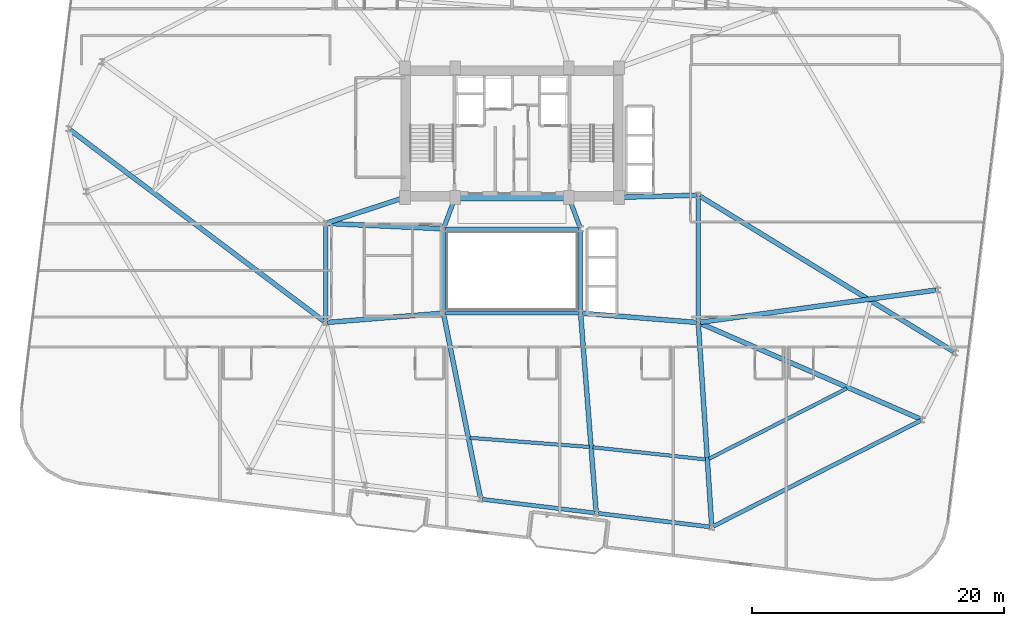
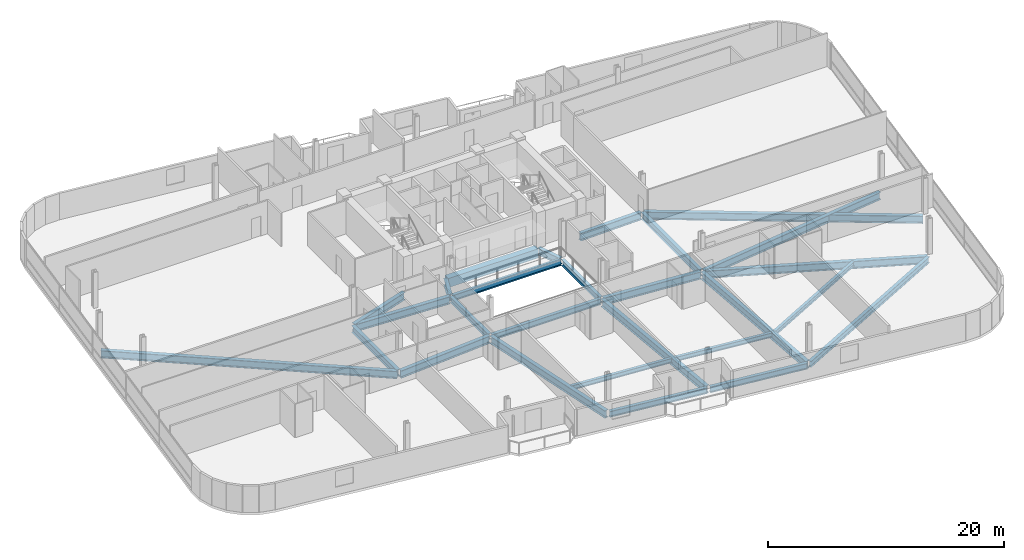
# One storey, part 7 of 26: 27 beams.
"""IFC4 building model written with IfcOpenShell, lengths in metres."""

import ifcopenshell
import ifcopenshell.guid

model = None  # the IFC model being written
_history = None  # IfcOwnerHistory: only IFC2X3 demands one
_inside = {}  # id of a spatial element -> (the spatial element, [elements in it])
_under = {}  # id of a project, library or spatial element -> (it, [spatial elements below it])
_declared = {}  # id of a project -> (the project, [libraries it declares])
_typed = {}  # id of a type object -> (the type object, [elements of that type])
_made_of = {}  # id of a material, layer set ... -> (it, [elements and type objects made of it])


def new_model(schema):
    """Start an empty IFC model of exactly this schema.

    Asked for "IFC4X3", IfcOpenShell would pick the latest addendum, in which some entities
    have other attributes; the version numbers below select the first issue.
    IFC2X3 requires an IfcOwnerHistory on every rooted entity: one is made here for all.
    """
    global model, _history
    if schema == "IFC4X3":
        model = ifcopenshell.file(schema_version=(4, 3, 0, 0))
    else:
        model = ifcopenshell.file(schema=schema)
    _inside.clear()
    _under.clear()
    _declared.clear()
    _typed.clear()
    _made_of.clear()
    _history = None
    if model.schema == "IFC2X3":
        org = make("IfcOrganization", Name="unknown")
        user = make(
            "IfcPersonAndOrganization",
            ThePerson=make("IfcPerson", FamilyName="unknown"),
            TheOrganization=org,
        )
        app = make(
            "IfcApplication",
            ApplicationDeveloper=org,
            Version="unknown",
            ApplicationFullName="unknown",
            ApplicationIdentifier="unknown",
        )
        _history = make(
            "IfcOwnerHistory",
            OwningUser=user,
            OwningApplication=app,
            ChangeAction="ADDED",
            CreationDate=0,
        )
    return model


def make(cls, **values):
    """One entity of the class cls with the attributes given. An attribute that is None is left unset."""
    return model.create_entity(
        cls, **{name: value for name, value in values.items() if value is not None}
    )


def rooted(cls, **values):
    """An entity with a GlobalId (a new one), such as an element, a storey or a relation."""
    return make(cls, GlobalId=ifcopenshell.guid.new(), OwnerHistory=_history, **values)


def si_unit(unit_type, name, prefix=None):
    """IfcSIUnit, for example si_unit("LENGTHUNIT", "METRE", prefix="MILLI")."""
    return make("IfcSIUnit", UnitType=unit_type, Prefix=prefix, Name=name)


def assignment(units):
    """IfcUnitAssignment: the units of a project."""
    return None if units is None else make("IfcUnitAssignment", Units=units)


def point(xyz):
    """IfcCartesianPoint."""
    return None if xyz is None else make("IfcCartesianPoint", Coordinates=xyz)


def direction(xyz):
    """IfcDirection."""
    return None if xyz is None else make("IfcDirection", DirectionRatios=xyz)


def frame(location, z_axis=None, x_axis=None):
    """IfcAxis2Placement3D, a coordinate frame: its origin and axes. An axis left out is left unset."""
    return make(
        "IfcAxis2Placement3D",
        Location=point(location),
        Axis=direction(z_axis),
        RefDirection=direction(x_axis),
    )


def frame_2d(location, x_axis=None):
    """IfcAxis2Placement2D, a coordinate frame in the plane: its origin and x axis."""
    return make(
        "IfcAxis2Placement2D", Location=point(location), RefDirection=direction(x_axis)
    )


def origin():
    """The frame at (0, 0, 0) with its axes left unset."""
    return frame((0.0, 0.0, 0.0))


def origin_2d():
    """The frame at (0, 0) in the plane with its x axis left unset."""
    return frame_2d((0.0, 0.0))


def place(relative_to, where):
    """IfcLocalPlacement: puts the frame where relative to a parent placement (None: the world)."""
    return make(
        "IfcLocalPlacement", PlacementRelTo=relative_to, RelativePlacement=where
    )


def context(
    kind, dimensions, precision=None, world=None, true_north=None, identifier=None
):
    """IfcGeometricRepresentationContext, for example the 3D "Model" context."""
    return make(
        "IfcGeometricRepresentationContext",
        ContextIdentifier=identifier,
        ContextType=kind,
        CoordinateSpaceDimension=dimensions,
        Precision=precision,
        WorldCoordinateSystem=world,
        TrueNorth=true_north,
    )


def subcontext(parent, identifier, kind, view, scale=None):
    """IfcGeometricRepresentationSubContext, for example "Body" below "Model"."""
    return make(
        "IfcGeometricRepresentationSubContext",
        ContextIdentifier=identifier,
        ContextType=kind,
        ParentContext=parent,
        TargetScale=scale,
        TargetView=view,
    )


def project(units=None, contexts=None):
    """IfcProject with its units and contexts."""
    return rooted(
        "IfcProject",
        Name="project",
        RepresentationContexts=contexts,
        UnitsInContext=assignment(units),
    )


def spatial(cls, under=None, at=None, **own):
    """A site, building, storey or space (cls), placed at a placement, below another one or the project."""
    s = rooted(cls, ObjectPlacement=at, **own)
    if under is not None:
        _under.setdefault(under.id(), (under, []))[1].append(s)
    return s


def profile(cls, at=None, kind="AREA", **sizes):
    """A parametric profile (cls). Its sizes go by their IFC names, for example OverallWidth=200.0."""
    return make(cls, ProfileType=kind, Position=at, **sizes)


def rectangle(**sizes):
    """IfcRectangleProfileDef."""
    return profile("IfcRectangleProfileDef", **sizes)


def i_section(**sizes):
    """IfcIShapeProfileDef."""
    return profile("IfcIShapeProfileDef", **sizes)


def extrude(swept, where, along, depth):
    """IfcExtrudedAreaSolid: the profile swept, set in the frame where, extruded along a direction by depth."""
    return make(
        "IfcExtrudedAreaSolid",
        SweptArea=swept,
        Position=where,
        ExtrudedDirection=direction(along),
        Depth=depth,
    )


def shape(context_of_items, identifier, shape_type, items):
    """IfcShapeRepresentation: the items that make up one representation, for example the "Body"."""
    return make(
        "IfcShapeRepresentation",
        ContextOfItems=context_of_items,
        RepresentationIdentifier=identifier,
        RepresentationType=shape_type,
        Items=items,
    )


def material(Name=None, Category=None):
    """IfcMaterial."""
    return make("IfcMaterial", Name=Name, Category=Category)


def material_profile(
    of_material, cross_section, Name=None, Category=None, Priority=None
):
    """IfcMaterialProfile: a cross section and its material."""
    return make(
        "IfcMaterialProfile",
        Name=Name,
        Material=of_material,
        Profile=cross_section,
        Priority=Priority,
        Category=Category,
    )


def profile_set(profiles, Name=None, composite=None):
    """IfcMaterialProfileSet."""
    return make(
        "IfcMaterialProfileSet",
        Name=Name,
        MaterialProfiles=profiles,
        CompositeProfile=composite,
    )


def made_of(thing, what):
    """Note that an element or type object is made of a material, layer set ...; save() writes the relation."""
    if what is not None:
        _made_of.setdefault(what.id(), (what, []))[1].append(thing)
    return thing


def type_object(cls, material=None, **own):
    """A type object (cls), such as IfcWallType, which elements share."""
    return made_of(rooted(cls, **own), material)


def element(
    cls,
    number,
    at=None,
    inside=None,
    cuts=None,
    type_object=None,
    material=None,
    context=None,
    identifier="Body",
    shape_type=None,
    held_by="IfcProductDefinitionShape",
    body=None,
    shapes=None,
    **own,
):
    """One element of the class cls, such as IfcWall. Its Tag is "e" and its number.

    at: its placement. inside: the storey or other place that contains it. cuts: it is an
    opening in that element (IfcRelVoidsElement). A single representation is given by context,
    identifier, shape_type and body (its items); several are given by shapes. held_by: the class
    of the entity that holds the representations. save() writes the other relations.
    """
    e = rooted(cls, Tag="e%d" % number, ObjectPlacement=at, **own)
    if body is not None:
        shapes = [shape(context, identifier, shape_type, body)]
    if shapes is not None:
        e.Representation = make(held_by, Representations=shapes)
    if inside is not None:
        _inside.setdefault(inside.id(), (inside, []))[1].append(e)
    if cuts is not None:
        rooted(
            "IfcRelVoidsElement", RelatingBuildingElement=cuts, RelatedOpeningElement=e
        )
    if type_object is not None:
        _typed.setdefault(type_object.id(), (type_object, []))[1].append(e)
    return made_of(e, material)


def aggregate(whole, parts):
    """IfcRelAggregates: a whole, such as a stair, and the parts it consists of."""
    return rooted("IfcRelAggregates", RelatingObject=whole, RelatedObjects=parts)


def save(model, path):
    """Write the relations noted so far, then the file.

    IfcRelAggregates (storeys below a building ...), IfcRelContainedInSpatialStructure (elements
    in a storey), IfcRelDefinesByType, IfcRelAssociatesMaterial and IfcRelDeclares: one each for
    every whole, place, type object, material and project.
    """
    for whole, parts in _under.values():
        aggregate(whole, parts)
    for where, things in _inside.values():
        rooted(
            "IfcRelContainedInSpatialStructure",
            RelatedElements=things,
            RelatingStructure=where,
        )
    for kind, things in _typed.values():
        rooted("IfcRelDefinesByType", RelatedObjects=things, RelatingType=kind)
    for what, things in _made_of.values():
        rooted("IfcRelAssociatesMaterial", RelatedObjects=things, RelatingMaterial=what)
    for by, libraries in _declared.values():
        rooted("IfcRelDeclares", RelatingContext=by, RelatedDefinitions=libraries)
    model.write(path)


model = new_model("IFC4")

# Units and contexts
model_context = context("Model", 3, precision=1e-05, world=origin(), true_north=direction((0.0, 1.0)))
body_context = subcontext(model_context, "Body", "Model", "MODEL_VIEW")
ifc_project = project(units=[si_unit("LENGTHUNIT", "METRE"), si_unit("AREAUNIT", "SQUARE_METRE"), si_unit("VOLUMEUNIT", "CUBIC_METRE"), si_unit("PLANEANGLEUNIT", "RADIAN"), si_unit("MASSUNIT", "GRAM", prefix="KILO")], contexts=[model_context])

# Site, building, storey
site_placement = place(None, origin())
site = spatial("IfcSite", under=ifc_project, at=site_placement, CompositionType="ELEMENT")
building_placement = place(site_placement, origin())
building = spatial("IfcBuilding", under=site, at=building_placement, Name="Varnelok Gate Tower", CompositionType="ELEMENT")
storey_placement = place(building_placement, frame((0.0, 0.0, 147.60009765625)))
storey = spatial("IfcBuildingStorey", under=building, at=storey_placement, Name="L37", CompositionType="ELEMENT", Elevation=147.60009765625)

# Beams
ifc_material_1 = material(Name="Structural Steel ASTM A992 Grade 50", Category="steel")
ifc_material_profile_1 = material_profile(ifc_material_1, i_section(OverallWidth=0.280029296875, OverallDepth=0.462890625, WebThickness=0.0107421875, FlangeThickness=0.017333984375, FilletRadius=0.014892578125, at=origin_2d()), Name="W18X76")
ifc_profile_set_1 = profile_set([ifc_material_profile_1], Name="Structural Steel ASTM A992 Grade 50")
beam_type_1 = type_object("IfcBeamType", Name="BM-JST-W18X76", PredefinedType="JOIST", material=ifc_profile_set_1)
beam_1_placement = place(storey_placement, frame((35.873779296875, 9.636962890625, -0.481689453125), z_axis=(0.997085551333, -0.076291567836, 0.0), x_axis=(0.076291567836, 0.997085551333, 0.0)))
element("IfcBeam", 1, at=beam_1_placement, inside=storey, type_object=beam_type_1, Name="L37 Sector Floor Joist 3", PredefinedType="JOIST", context=body_context, shape_type="SweptSolid", body=[
    extrude(i_section(OverallWidth=0.280029296875, OverallDepth=0.462890625, WebThickness=0.0107421875, FlangeThickness=0.017333984375, FilletRadius=0.014892578125, at=origin_2d()), origin(), (0.0, 0.0, 1.0), 9.497802734375),
])
beam_2_placement = place(storey_placement, frame((45.622802734375, 8.88671875, -0.481689453125), z_axis=(0.994268698823, -0.106910030126, 0.0), x_axis=(0.106910030126, 0.994268698823, 0.0)))
element("IfcBeam", 2, at=beam_2_placement, inside=storey, type_object=beam_type_1, Name="L37 Sector Floor Joist 4", PredefinedType="JOIST", context=body_context, shape_type="SweptSolid", body=[
    extrude(i_section(OverallWidth=0.280029296875, OverallDepth=0.462890625, WebThickness=0.0107421875, FlangeThickness=0.017333984375, FilletRadius=0.014892578125, at=origin_2d()), origin(), (0.0, 0.0, 1.0), 9.01123046875),
])
beam_3_placement = place(storey_placement, frame((54.84619140625, 7.971923828125, -0.481689453125), z_axis=(0.890719043402, 0.45455427148, 0.0), x_axis=(-0.45455427148, 0.890719043402, 0.0)))
element("IfcBeam", 3, at=beam_3_placement, inside=storey, type_object=beam_type_1, Name="L37 Sector Floor Joist 5", PredefinedType="JOIST", context=body_context, shape_type="SweptSolid", body=[
    extrude(i_section(OverallWidth=0.280029296875, OverallDepth=0.462890625, WebThickness=0.0107421875, FlangeThickness=0.017333984375, FilletRadius=0.014892578125, at=origin_2d()), origin(), (0.0, 0.0, 1.0), 12.293701171875),
])
ifc_material_2 = material(Name="Concrete C60/75", Category="concrete")
ifc_material_profile_2 = material_profile(ifc_material_2, rectangle(XDim=0.60009765625, YDim=0.949951171875, at=origin_2d()), Name="RC950X600")
ifc_profile_set_2 = profile_set([ifc_material_profile_2], Name="Concrete C60/75")
beam_type_2 = type_object("IfcBeamType", Name="BM-LNT-RC950", PredefinedType="LINTEL", material=ifc_profile_set_2)
beam_4_placement = place(storey_placement, frame((34.800048828125, 28.75, -0.72509765625), z_axis=(1.0, 0.0, 0.0), x_axis=(0.0, 1.0, 0.0)))
element("IfcBeam", 4, at=beam_4_placement, inside=storey, type_object=beam_type_2, Name="L37 Core-Atrium Spine Beam 7", PredefinedType="LINTEL", context=body_context, shape_type="SweptSolid", body=[
    extrude(rectangle(XDim=0.60009765625, YDim=0.949951171875, at=origin_2d()), origin(), (0.0, 0.0, 1.0), 8.800048828125),
])
ifc_material_profile_3 = material_profile(ifc_material_1, i_section(OverallWidth=0.35498046875, OverallDepth=0.696044921875, WebThickness=0.015380859375, FlangeThickness=0.02490234375, FilletRadius=0.02001953125, at=origin_2d()), Name="W27X146")
ifc_profile_set_3 = profile_set([ifc_material_profile_3], Name="Structural Steel ASTM A992 Grade 50")
beam_type_3 = type_object("IfcBeamType", Name="BM-PRI-W27X146", PredefinedType="BEAM", material=ifc_profile_set_3)
for number, where, z_axis, x_axis, name in (
    (5, (33.791748046875, 26.362548828125, -0.59814453125), (0.348719329408, 0.937227202602, 0.0), (-0.937227202602, 0.348719329408, 0.0), "L37 Core-Atrium Spine Beam 12"),
    (6, (44.608154296875, 26.362548828125, -0.59814453125), (-0.348719329408, 0.937227202602, 0.0), (-0.937227202602, -0.348719329408, 0.0), "L37 Core-Atrium Spine Beam 13"),
):
    element("IfcBeam", number, at=place(storey_placement, frame(where, z_axis=z_axis, x_axis=x_axis)), inside=storey, type_object=beam_type_3, Name=name, PredefinedType="BEAM", context=body_context, shape_type="SweptSolid", body=[
        extrude(i_section(OverallWidth=0.35498046875, OverallDepth=0.696044921875, WebThickness=0.015380859375, FlangeThickness=0.02490234375, FilletRadius=0.02001953125, at=origin_2d()), origin(), (0.0, 0.0, 1.0), 2.42724609375),
    ])
beam_5_placement = place(storey_placement, frame((24.39990234375, 18.919921875, -0.59814453125), z_axis=(0.0, 1.0, 0.0), x_axis=(-1.0, 0.0, 0.0)))
element("IfcBeam", 7, at=beam_5_placement, inside=storey, type_object=beam_type_3, Name="L37 Core-Atrium Spine Beam 16", PredefinedType="BEAM", context=body_context, shape_type="SweptSolid", body=[
    extrude(i_section(OverallWidth=0.35498046875, OverallDepth=0.696044921875, WebThickness=0.015380859375, FlangeThickness=0.02490234375, FilletRadius=0.02001953125, at=origin_2d()), origin(), (0.0, 0.0, 1.0), 7.64013671875),
])
beam_6_placement = place(storey_placement, frame((54.0, 18.919921875, -0.59814453125), z_axis=(0.0, 1.0, 0.0), x_axis=(-1.0, 0.0, 0.0)))
element("IfcBeam", 8, at=beam_6_placement, inside=storey, type_object=beam_type_3, Name="L37 Core-Atrium Spine Beam 20", PredefinedType="BEAM", context=body_context, shape_type="SweptSolid", body=[
    extrude(i_section(OverallWidth=0.35498046875, OverallDepth=0.696044921875, WebThickness=0.015380859375, FlangeThickness=0.02490234375, FilletRadius=0.02001953125, at=origin_2d()), origin(), (0.0, 0.0, 1.0), 9.880126953125),
])
ifc_material_profile_4 = material_profile(ifc_material_1, i_section(OverallWidth=0.381103515625, OverallDepth=0.77294921875, WebThickness=0.0166015625, FlangeThickness=0.027099609375, FilletRadius=0.02197265625, at=origin_2d()), Name="W30X173")
ifc_profile_set_4 = profile_set([ifc_material_profile_4], Name="Structural Steel ASTM A992 Grade 50")
beam_type_4 = type_object("IfcBeamType", Name="BM-PRI-W30X173", PredefinedType="BEAM", material=ifc_profile_set_4)
beam_7_placement = place(storey_placement, frame((24.51953125, 18.8095703125, -0.63671875), z_axis=(0.996799206292, 0.07994587128, 0.0), x_axis=(-0.07994587128, 0.996799206292, 0.0)))
element("IfcBeam", 9, at=beam_7_placement, inside=storey, type_object=beam_type_4, Name="L37 Core-Atrium Spine Beam 14", PredefinedType="BEAM", context=body_context, shape_type="SweptSolid", body=[
    extrude(i_section(OverallWidth=0.381103515625, OverallDepth=0.77294921875, WebThickness=0.0166015625, FlangeThickness=0.027099609375, FilletRadius=0.02197265625, at=origin_2d()), origin(), (0.0, 0.0, 1.0), 9.14013671875),
])
beam_8_placement = place(storey_placement, frame((24.52001953125, 26.674560546875, -0.63671875), z_axis=(0.99894427814, -0.045938319209, 0.0), x_axis=(0.045938319209, 0.99894427814, 0.0)))
element("IfcBeam", 10, at=beam_8_placement, inside=storey, type_object=beam_type_4, Name="L37 Core-Atrium Spine Beam 15", PredefinedType="BEAM", context=body_context, shape_type="SweptSolid", body=[
    extrude(i_section(OverallWidth=0.381103515625, OverallDepth=0.77294921875, WebThickness=0.0166015625, FlangeThickness=0.027099609375, FilletRadius=0.02197265625, at=origin_2d()), origin(), (0.0, 0.0, 1.0), 9.11962890625),
])
beam_9_placement = place(storey_placement, frame((24.513916015625, 26.717529296875, -0.63671875), z_axis=(0.950041943788, 0.312122259768, 0.0), x_axis=(-0.312122259768, 0.950041943788, 0.0)))
element("IfcBeam", 11, at=beam_9_placement, inside=storey, type_object=beam_type_4, Name="L37 Core-Atrium Spine Beam 17", PredefinedType="BEAM", context=body_context, shape_type="SweptSolid", body=[
    extrude(i_section(OverallWidth=0.381103515625, OverallDepth=0.77294921875, WebThickness=0.0166015625, FlangeThickness=0.027099609375, FilletRadius=0.02197265625, at=origin_2d()), origin(), (0.0, 0.0, 1.0), 6.391357421875),
])
beam_10_placement = place(storey_placement, frame((44.76953125, 19.540283203125, -0.63671875), z_axis=(0.996799206292, -0.07994587128, 0.0), x_axis=(0.07994587128, 0.996799206292, 0.0)))
element("IfcBeam", 12, at=beam_10_placement, inside=storey, type_object=beam_type_4, Name="L37 Core-Atrium Spine Beam 18", PredefinedType="BEAM", context=body_context, shape_type="SweptSolid", body=[
    extrude(i_section(OverallWidth=0.381103515625, OverallDepth=0.77294921875, WebThickness=0.0166015625, FlangeThickness=0.027099609375, FilletRadius=0.02197265625, at=origin_2d()), origin(), (0.0, 0.0, 1.0), 9.14013671875),
])
beam_11_placement = place(storey_placement, frame((47.820068359375, 28.753173828125, -0.63671875), z_axis=(0.999635880609, 0.026983443053, 0.0), x_axis=(-0.026983443053, 0.999635880609, 0.0)))
element("IfcBeam", 13, at=beam_11_placement, inside=storey, type_object=beam_type_4, Name="L37 Core-Atrium Spine Beam 19", PredefinedType="BEAM", context=body_context, shape_type="SweptSolid", body=[
    extrude(i_section(OverallWidth=0.381103515625, OverallDepth=0.77294921875, WebThickness=0.0166015625, FlangeThickness=0.027099609375, FilletRadius=0.02197265625, at=origin_2d()), origin(), (0.0, 0.0, 1.0), 6.06201171875),
])
beam_12_placement = place(storey_placement, frame((33.779541015625, 19.40283203125, -0.63671875), z_axis=(0.1964593524, -0.980511969766, 0.0), x_axis=(0.980511969766, 0.1964593524, 0.0)))
element("IfcBeam", 14, at=beam_12_placement, inside=storey, type_object=beam_type_4, Name="L37 Radial Floor Girder 3", PredefinedType="BEAM", context=body_context, shape_type="SweptSolid", body=[
    extrude(i_section(OverallWidth=0.381103515625, OverallDepth=0.77294921875, WebThickness=0.0166015625, FlangeThickness=0.027099609375, FilletRadius=0.02197265625, at=origin_2d()), origin(), (0.0, 0.0, 1.0), 14.773193359375),
])
beam_13_placement = place(storey_placement, frame((44.66162109375, 19.400390625, -0.63671875), z_axis=(0.078042805068, -0.996950009066, 0.0), x_axis=(0.996950009066, 0.078042805068, 0.0)))
element("IfcBeam", 15, at=beam_13_placement, inside=storey, type_object=beam_type_4, Name="L37 Radial Floor Girder 4", PredefinedType="BEAM", context=body_context, shape_type="SweptSolid", body=[
    extrude(i_section(OverallWidth=0.381103515625, OverallDepth=0.77294921875, WebThickness=0.0166015625, FlangeThickness=0.027099609375, FilletRadius=0.02197265625, at=origin_2d()), origin(), (0.0, 0.0, 1.0), 15.641357421875),
])
beam_14_placement = place(storey_placement, frame((54.010009765625, 18.650390625, -0.63671875), z_axis=(0.066089376194, -0.997813707239, 0.0), x_axis=(0.997813707239, 0.066089376194, 0.0)))
element("IfcBeam", 16, at=beam_14_placement, inside=storey, type_object=beam_type_4, Name="L37 Radial Floor Girder 5", PredefinedType="BEAM", context=body_context, shape_type="SweptSolid", body=[
    extrude(i_section(OverallWidth=0.381103515625, OverallDepth=0.77294921875, WebThickness=0.0166015625, FlangeThickness=0.027099609375, FilletRadius=0.02197265625, at=origin_2d()), origin(), (0.0, 0.0, 1.0), 15.99169921875),
])
beam_15_placement = place(storey_placement, frame((54.1376953125, 18.740234375, -0.63671875), z_axis=(0.917259371715, -0.398290402848, 0.0), x_axis=(0.398290402848, 0.917259371715, 0.0)))
element("IfcBeam", 17, at=beam_15_placement, inside=storey, type_object=beam_type_4, Name="L37 Radial Floor Girder 6", PredefinedType="BEAM", context=body_context, shape_type="SweptSolid", body=[
    extrude(i_section(OverallWidth=0.381103515625, OverallDepth=0.77294921875, WebThickness=0.0166015625, FlangeThickness=0.027099609375, FilletRadius=0.02197265625, at=origin_2d()), origin(), (0.0, 0.0, 1.0), 19.09765625),
])
beam_16_placement = place(storey_placement, frame((54.1279296875, 28.841796875, -0.63671875), z_axis=(0.852781066678, -0.522268563399, 0.0), x_axis=(0.522268563399, 0.852781066678, 0.0)))
element("IfcBeam", 18, at=beam_16_placement, inside=storey, type_object=beam_type_4, Name="L37 Radial Floor Girder 7", PredefinedType="BEAM", context=body_context, shape_type="SweptSolid", body=[
    extrude(i_section(OverallWidth=0.381103515625, OverallDepth=0.77294921875, WebThickness=0.0166015625, FlangeThickness=0.027099609375, FilletRadius=0.02197265625, at=origin_2d()), origin(), (0.0, 0.0, 1.0), 23.663330078125),
])
beam_17_placement = place(storey_placement, frame((54.148681640625, 18.8203125, -0.63671875), z_axis=(0.990818465143, 0.135198998265, 0.0), x_axis=(-0.135198998265, 0.990818465143, 0.0)))
element("IfcBeam", 19, at=beam_17_placement, inside=storey, type_object=beam_type_4, Name="L37 Radial Floor Girder 8", PredefinedType="BEAM", context=body_context, shape_type="SweptSolid", body=[
    extrude(i_section(OverallWidth=0.381103515625, OverallDepth=0.77294921875, WebThickness=0.0166015625, FlangeThickness=0.027099609375, FilletRadius=0.02197265625, at=origin_2d()), origin(), (0.0, 0.0, 1.0), 18.921142578125),
])
beam_18_placement = place(storey_placement, frame((24.2802734375, 18.890380859375, -0.63671875), z_axis=(-0.798720202065, 0.601702616591, 0.0), x_axis=(-0.601702616591, -0.798720202065, 0.0)))
element("IfcBeam", 20, at=beam_18_placement, inside=storey, type_object=beam_type_4, Name="L37 Radial Floor Girder 15", PredefinedType="BEAM", context=body_context, shape_type="SweptSolid", body=[
    extrude(i_section(OverallWidth=0.381103515625, OverallDepth=0.77294921875, WebThickness=0.0166015625, FlangeThickness=0.027099609375, FilletRadius=0.02197265625, at=origin_2d()), origin(), (0.0, 0.0, 1.0), 25.285400390625),
])
ifc_material_profile_5 = material_profile(ifc_material_1, i_section(OverallWidth=0.323974609375, OverallDepth=0.611083984375, WebThickness=0.0126953125, FlangeThickness=0.01904296875, FilletRadius=0.01806640625, at=origin_2d()), Name="W24X104")
ifc_profile_set_5 = profile_set([ifc_material_profile_5], Name="Structural Steel ASTM A992 Grade 50")
beam_type_5 = type_object("IfcBeamType", Name="BM-SPN-W24X104", PredefinedType="SPANDREL", material=ifc_profile_set_5)
for number, where, z_axis, x_axis, name in (
    (21, (33.8701171875, 19.550048828125, -0.5556640625), (1.0, 0.0, 0.0), (0.0, 1.0, 0.0), "L37 Core-Atrium Spine Beam 8"),
    (22, (33.8701171875, 26.25, -0.5556640625), (1.0, 0.0, 0.0), (0.0, 1.0, 0.0), "L37 Core-Atrium Spine Beam 9"),
):
    element("IfcBeam", number, at=place(storey_placement, frame(where, z_axis=z_axis, x_axis=x_axis)), inside=storey, type_object=beam_type_5, Name=name, PredefinedType="SPANDREL", context=body_context, shape_type="SweptSolid", body=[
        extrude(i_section(OverallWidth=0.323974609375, OverallDepth=0.611083984375, WebThickness=0.0126953125, FlangeThickness=0.01904296875, FilletRadius=0.01806640625, at=origin_2d()), origin(), (0.0, 0.0, 1.0), 10.659912109375),
    ])
for number, where, z_axis, x_axis, name in (
    (23, (33.75, 19.669921875, -0.5556640625), (0.0, 1.0, 0.0), (-1.0, 0.0, 0.0), "L37 Core-Atrium Spine Beam 10"),
    (24, (44.64990234375, 19.669921875, -0.5556640625), (0.0, 1.0, 0.0), (-1.0, 0.0, 0.0), "L37 Core-Atrium Spine Beam 11"),
):
    element("IfcBeam", number, at=place(storey_placement, frame(where, z_axis=z_axis, x_axis=x_axis)), inside=storey, type_object=beam_type_5, Name=name, PredefinedType="SPANDREL", context=body_context, shape_type="SweptSolid", body=[
        extrude(i_section(OverallWidth=0.323974609375, OverallDepth=0.611083984375, WebThickness=0.0126953125, FlangeThickness=0.01904296875, FilletRadius=0.01806640625, at=origin_2d()), origin(), (0.0, 0.0, 1.0), 6.4599609375),
    ])
for number, where, z_axis, x_axis, name in (
    (25, (36.860107421875, 4.752197265625, -0.5556640625), (0.992734670707, -0.120324035735, 0.0), (0.120324035735, 0.992734670707, 0.0), "L37 Perimeter Spandrel Beam 3"),
    (26, (46.04296875, 3.638916015625, -0.5556640625), (0.992734670707, -0.120324035735, 0.0), (0.120324035735, 0.992734670707, 0.0), "L37 Perimeter Spandrel Beam 4"),
):
    element("IfcBeam", number, at=place(storey_placement, frame(where, z_axis=z_axis, x_axis=x_axis)), inside=storey, type_object=beam_type_5, Name=name, PredefinedType="SPANDREL", context=body_context, shape_type="SweptSolid", body=[
        extrude(i_section(OverallWidth=0.323974609375, OverallDepth=0.611083984375, WebThickness=0.0126953125, FlangeThickness=0.01904296875, FilletRadius=0.01806640625, at=origin_2d()), origin(), (0.0, 0.0, 1.0), 8.949951171875),
    ])
beam_19_placement = place(storey_placement, frame((55.21044921875, 2.612060546875, -0.5556640625), z_axis=(0.890721671543, 0.454549121486, 0.0), x_axis=(-0.454549121486, 0.890721671543, 0.0)))
element("IfcBeam", 27, at=beam_19_placement, inside=storey, type_object=beam_type_5, Name="L37 Perimeter Spandrel Beam 5", PredefinedType="SPANDREL", context=body_context, shape_type="SweptSolid", body=[
    extrude(i_section(OverallWidth=0.323974609375, OverallDepth=0.611083984375, WebThickness=0.0126953125, FlangeThickness=0.01904296875, FilletRadius=0.01806640625, at=origin_2d()), origin(), (0.0, 0.0, 1.0), 18.466796875),
])

save(model, "model.ifc")
